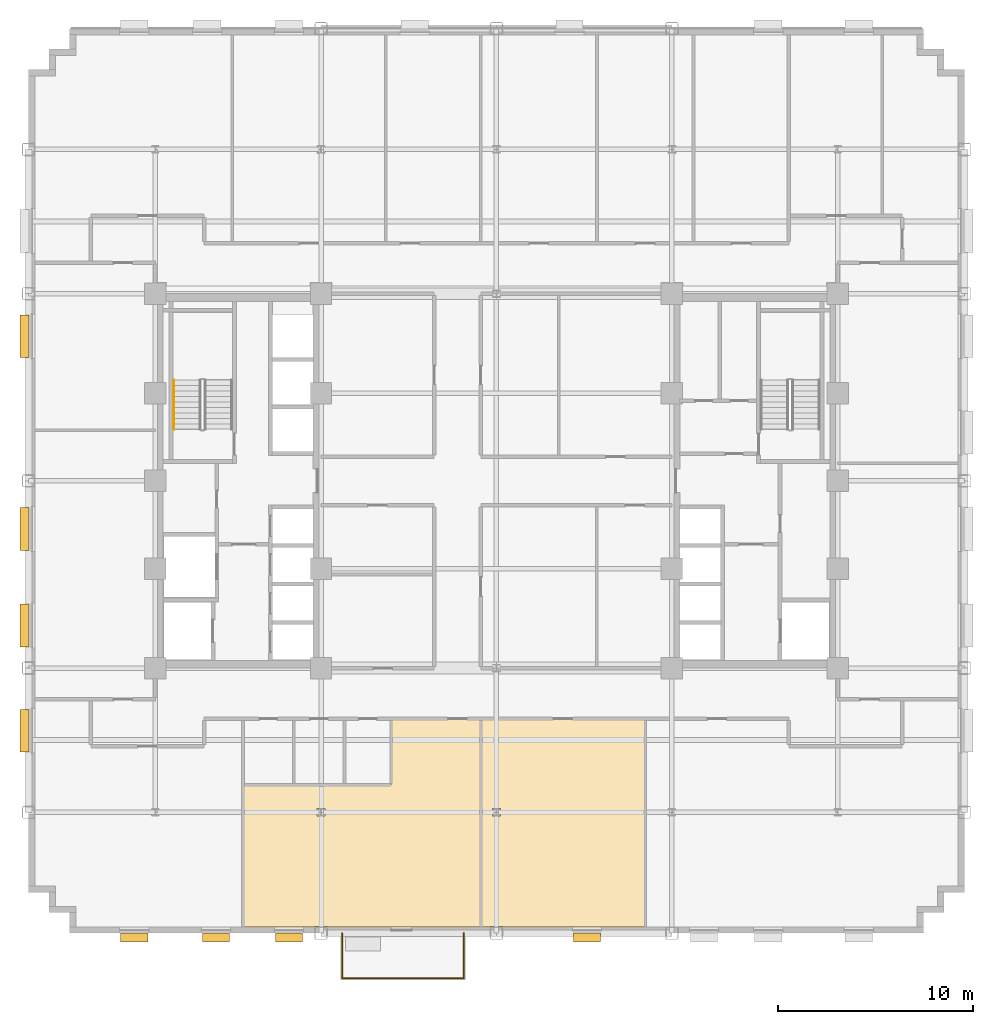
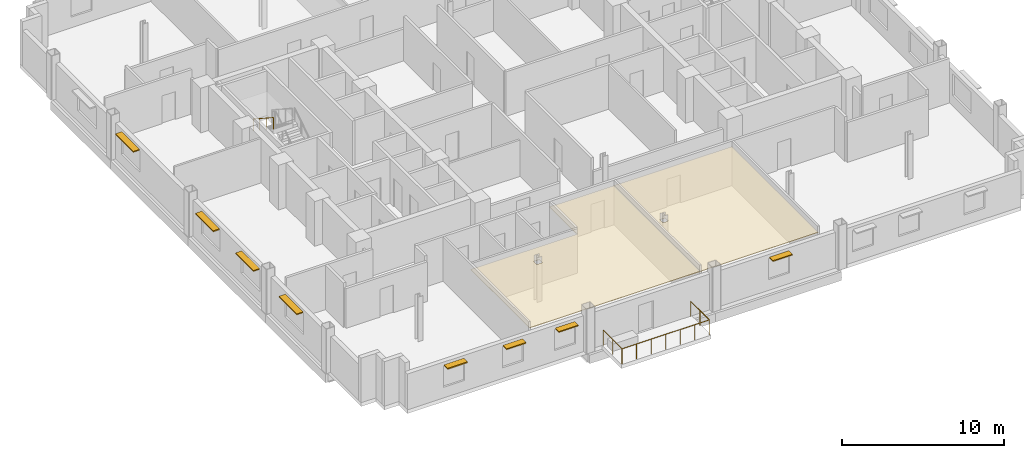
# One storey, part 11 of 14: 8 shading devices, 2 coverings, 2 railings.
"""IFC4 building model written with IfcOpenShell, lengths in metres."""

from ifc_helpers import new_model, si_unit, direction, frame, origin, origin_2d, place, context, subcontext, project, spatial, polyline, rectangle, circle, outline, extrude, source, transform, mapped, material, layer, layer_set, type_object, type_shapes, element, save


model = new_model("IFC4")

# Units and contexts
model_context = context("Model", 3, precision=1e-05, world=origin(), true_north=direction((0.0, 1.0)))
body_context = subcontext(model_context, "Body", "Model", "MODEL_VIEW")
ifc_project = project(units=[si_unit("LENGTHUNIT", "METRE"), si_unit("AREAUNIT", "SQUARE_METRE"), si_unit("VOLUMEUNIT", "CUBIC_METRE"), si_unit("PLANEANGLEUNIT", "RADIAN"), si_unit("MASSUNIT", "GRAM", prefix="KILO")], contexts=[model_context])

# Site, building, storey
site_placement = place(None, origin())
site = spatial("IfcSite", under=ifc_project, at=site_placement, CompositionType="ELEMENT")
building_placement = place(site_placement, origin())
building = spatial("IfcBuilding", under=site, at=building_placement, Name="Nuvemarco Arch Tower", CompositionType="ELEMENT")
storey_placement = place(building_placement, frame((0.0, 0.0, 109.25)))
storey = spatial("IfcBuildingStorey", under=building, at=storey_placement, Name="L28", CompositionType="ELEMENT", Elevation=109.25)

# Coverings
ifc_material_1 = material(Name="Mineral acoustic ceiling tile")
ifc_layer = layer(ifc_material_1, 0.0400390625, Name="COV-ACOUSTIC-CLG")
ifc_layer_set = layer_set([ifc_layer], Name="Mineral acoustic ceiling tile")
covering_type = type_object("IfcCoveringType", Name="COV-ACOUSTIC-CLG", PredefinedType="CEILING", material=ifc_layer_set)
covering_1_placement = place(storey_placement, frame((0.0, 0.0, 2.85009765625)))
element("IfcCovering", 1, at=covering_1_placement, inside=storey, type_object=covering_type, Name="L28 suspended acoustic ceiling 1", PredefinedType="CEILING", context=body_context, shape_type="SweptSolid", body=[
    extrude(outline(polyline([(-5.39990234375, -15.60009765625), (-5.39990234375, -12.199951171875), (-3.199951171875, -12.199951171875), (-0.800048828125, -12.199951171875), (-0.800048828125, -22.8798828125), (-8.659912109375, -22.8798828125), (-8.659912109375, -22.860107421875), (-9.340087890625, -22.860107421875), (-9.340087890625, -22.8798828125), (-13.0, -22.8798828125), (-13.0, -15.60009765625), (-10.39990234375, -15.60009765625), (-7.800048828125, -15.60009765625), (-5.39990234375, -15.60009765625)]), holes=[polyline([(-8.804931640625, -17.195068359375), (-8.804931640625, -16.804931640625), (-9.195068359375, -16.804931640625), (-9.195068359375, -17.195068359375), (-8.804931640625, -17.195068359375)])]), origin(), (0.0, 0.0, 1.0), 0.039794921875),
])
covering_2_placement = place(storey_placement, frame((0.0, 0.0, 2.85009765625)))
element("IfcCovering", 2, at=covering_2_placement, inside=storey, type_object=covering_type, Name="L28 suspended acoustic ceiling 2", PredefinedType="CEILING", context=body_context, shape_type="SweptSolid", body=[
    extrude(outline(polyline([(0.340087890625, -22.8798828125), (0.340087890625, -22.860107421875), (-0.340087890625, -22.860107421875), (-0.340087890625, -22.8798828125), (-0.800048828125, -22.8798828125), (-0.800048828125, -12.199951171875), (7.6298828125, -12.199951171875), (7.6298828125, -22.8798828125), (0.340087890625, -22.8798828125)]), holes=[polyline([(0.195068359375, -17.195068359375), (0.195068359375, -16.804931640625), (-0.195068359375, -16.804931640625), (-0.195068359375, -17.195068359375), (0.195068359375, -17.195068359375)])]), origin(), (0.0, 0.0, 1.0), 0.039794921875),
])

# Railings
ifc_material_2 = material(Name="Brushed stainless steel handrail", Category="steel")
railing_type_1 = type_object("IfcRailingType", Name="RL-HANDRAIL-900", PredefinedType="HANDRAIL", material=ifc_material_2)
railing_1_placement = place(storey_placement, frame((-16.550048828125, 5.169921875, 2.007568359375)))
element("IfcRailing", 3, at=railing_1_placement, inside=storey, type_object=railing_type_1, Name="L28 ST-1 stair handrail 2", PredefinedType="HANDRAIL", context=body_context, shape_type="SweptSolid", body=[
    extrude(circle(Radius=0.02392578125, at=origin_2d()), frame((0.0, 0.0, 0.8759765625), z_axis=(0.0, -0.837786554691, 0.545997883492), x_axis=(1.0, 0.0, 0.0)), (0.0, 0.0, 1.0), 3.008056640625),
    extrude(circle(Radius=0.02099609375, at=origin_2d()), origin(), (0.0, 0.0, 1.0), 0.851806640625),
    extrude(circle(Radius=0.02099609375, at=origin_2d()), frame((0.0, -0.840087890625, 0.54736328125)), (0.0, 0.0, 1.0), 0.851806640625),
    extrude(circle(Radius=0.02099609375, at=origin_2d()), frame((0.0, -1.679931640625, 1.094970703125)), (0.0, 0.0, 1.0), 0.851806640625),
    extrude(circle(Radius=0.02099609375, at=origin_2d()), frame((0.0, -2.52001953125, 1.642333984375)), (0.0, 0.0, 1.0), 0.851806640625),
])
ifc_material_3 = material(Name="Dark anodised balustrade steel S355", Category="steel")
railing_type_2 = type_object("IfcRailingType", Name="RL-TERR-GUARD", PredefinedType="BALUSTRADE", material=ifc_material_3)
railing_2_placement = place(storey_placement, frame((-7.919921875, -23.199951171875, 0.0)))
element("IfcRailing", 4, at=railing_2_placement, inside=storey, type_object=railing_type_2, Name="L28 spiral terrace perimeter balustrade guard", PredefinedType="BALUSTRADE", context=body_context, shape_type="SweptSolid", body=[
    extrude(circle(Radius=0.02392578125, at=origin_2d()), frame((0.0, 0.0, 1.1259765625), z_axis=(0.0, -1.0, 0.0), x_axis=(1.0, 0.0, 0.0)), (0.0, 0.0, 1.0), 2.320068359375),
    extrude(circle(Radius=0.02392578125, at=origin_2d()), frame((0.0, -2.320068359375, 1.1259765625), z_axis=(1.0, 0.0, 0.0), x_axis=(0.0, 1.0, 0.0)), (0.0, 0.0, 1.0), 6.239990234375),
    extrude(circle(Radius=0.02392578125, at=origin_2d()), frame((6.239990234375, -2.320068359375, 1.1259765625), z_axis=(0.0, 1.0, 0.0), x_axis=(-1.0, 0.0, 0.0)), (0.0, 0.0, 1.0), 2.320068359375),
    extrude(circle(Radius=0.02099609375, at=origin_2d()), origin(), (0.0, 0.0, 1.0), 1.101806640625),
    extrude(circle(Radius=0.02099609375, at=origin_2d()), frame((0.0, -1.16015625, 0.0)), (0.0, 0.0, 1.0), 1.101806640625),
    extrude(circle(Radius=0.02099609375, at=origin_2d()), frame((0.0, -2.320068359375, 0.0)), (0.0, 0.0, 1.0), 1.101806640625),
    extrude(circle(Radius=0.02099609375, at=origin_2d()), frame((1.0400390625, -2.320068359375, 0.0)), (0.0, 0.0, 1.0), 1.101806640625),
    extrude(circle(Radius=0.02099609375, at=origin_2d()), frame((2.080078125, -2.320068359375, 0.0)), (0.0, 0.0, 1.0), 1.101806640625),
    extrude(circle(Radius=0.02099609375, at=origin_2d()), frame((3.1201171875, -2.320068359375, 0.0)), (0.0, 0.0, 1.0), 1.101806640625),
    extrude(circle(Radius=0.02099609375, at=origin_2d()), frame((4.159912109375, -2.320068359375, 0.0)), (0.0, 0.0, 1.0), 1.101806640625),
    extrude(circle(Radius=0.02099609375, at=origin_2d()), frame((5.199951171875, -2.320068359375, 0.0)), (0.0, 0.0, 1.0), 1.101806640625),
    extrude(circle(Radius=0.02099609375, at=origin_2d()), frame((6.239990234375, -2.320068359375, 0.0)), (0.0, 0.0, 1.0), 1.101806640625),
    extrude(circle(Radius=0.02099609375, at=origin_2d()), frame((6.239990234375, -1.16015625, 0.0)), (0.0, 0.0, 1.0), 1.101806640625),
    extrude(circle(Radius=0.02099609375, at=origin_2d()), frame((6.239990234375, 0.0, 0.0)), (0.0, 0.0, 1.0), 1.101806640625),
])

# Shading devices
ifc_material_4 = material(Name="Anodised aluminium 6063-T6", Category="aluminium")
shading_device_type_1 = type_object("IfcShadingDeviceType", Name="SHD-BRISE-SOLEIL", PredefinedType="USERDEFINED", material=ifc_material_4)
shared_shape_1 = source(origin(), body_context, "Body", "SweptSolid", [
    extrude(rectangle(XDim=2.199951171875, YDim=0.449951171875, at=origin_2d()), origin(), (0.0, 0.0, 1.0), 0.080078125),
])
type_shapes(shading_device_type_1, [shared_shape_1])
for number, where, z_axis, x_axis, name in (
    (5, (-24.215087890625, -12.81494140625, 2.425048828125), (0.0, 0.0, 1.0), (0.0, 1.0, 0.0), "L28 horizontal brise-soleil sunshade"),
    (6, (-24.215087890625, -7.4189453125, 2.425048828125), (0.0, 0.0, 1.0), (0.0, 1.0, 0.0), "L28 horizontal brise-soleil sunshade"),
    (7, (-24.215087890625, -2.472900390625, 2.425048828125), (0.0, 0.0, 1.0), (0.0, 1.0, 0.0), "L28 horizontal brise-soleil sunshade"),
    (8, (-24.215087890625, 7.4189453125, 2.425048828125), (0.0, 0.0, 1.0), (0.0, 1.0, 0.0), "L28 horizontal brise-soleil sunshade"),
):
    element("IfcShadingDevice", number, at=place(storey_placement, frame(where, z_axis=z_axis, x_axis=x_axis)), inside=storey, type_object=shading_device_type_1, Name=name, ObjectType="SUNSHADE", PredefinedType="USERDEFINED", context=body_context, shape_type="MappedRepresentation", body=[
        mapped(shared_shape_1, transform((0.0, 0.0, 0.0), scale=1.0)),
    ])
shading_device_type_2 = type_object("IfcShadingDeviceType", Name="SHD-BRISE-NARROW", PredefinedType="USERDEFINED", material=ifc_material_4)
shared_shape_2 = source(origin(), body_context, "Body", "SweptSolid", [
    extrude(rectangle(XDim=1.39990234375, YDim=0.449951171875, at=origin_2d()), origin(), (0.0, 0.0, 1.0), 0.080078125),
])
type_shapes(shading_device_type_2, [shared_shape_2])
for number, where, z_axis, x_axis, name in (
    (9, (-18.577880859375, -23.4150390625, 2.405029296875), (0.0, 0.0, 1.0), (1.0, 0.0, 0.0), "L28 horizontal brise-soleil sunshade"),
    (10, (-14.38330078125, -23.4150390625, 2.405029296875), (0.0, 0.0, 1.0), (1.0, 0.0, 0.0), "L28 horizontal brise-soleil sunshade"),
    (11, (-10.638916015625, -23.4150390625, 2.405029296875), (0.0, 0.0, 1.0), (1.0, 0.0, 0.0), "L28 horizontal brise-soleil sunshade"),
    (12, (4.644287109375, -23.4150390625, 2.405029296875), (0.0, 0.0, 1.0), (1.0, 0.0, 0.0), "L28 horizontal brise-soleil sunshade"),
):
    element("IfcShadingDevice", number, at=place(storey_placement, frame(where, z_axis=z_axis, x_axis=x_axis)), inside=storey, type_object=shading_device_type_2, Name=name, ObjectType="SUNSHADE", PredefinedType="USERDEFINED", context=body_context, shape_type="MappedRepresentation", body=[
        mapped(shared_shape_2, transform((0.0, 0.0, 0.0), scale=1.0)),
    ])

save(model, "model.ifc")
